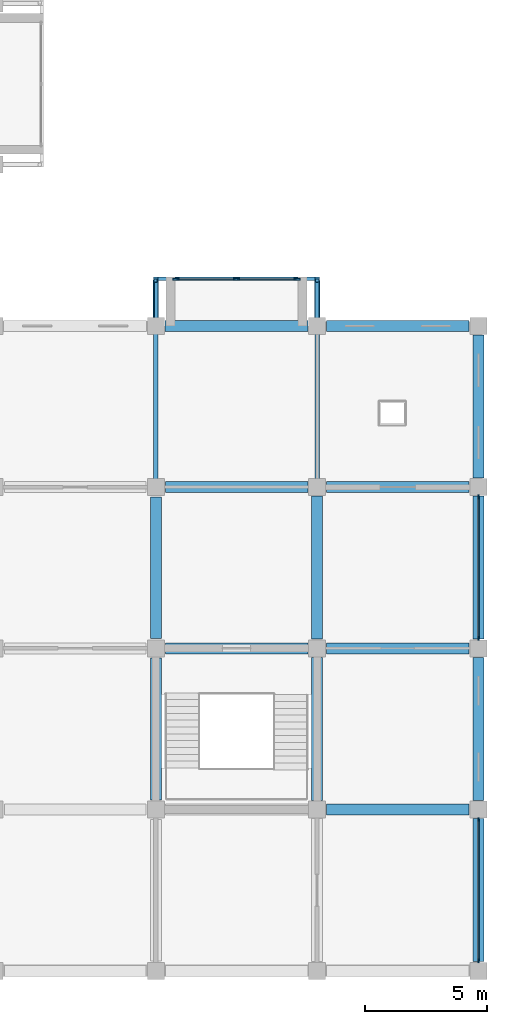
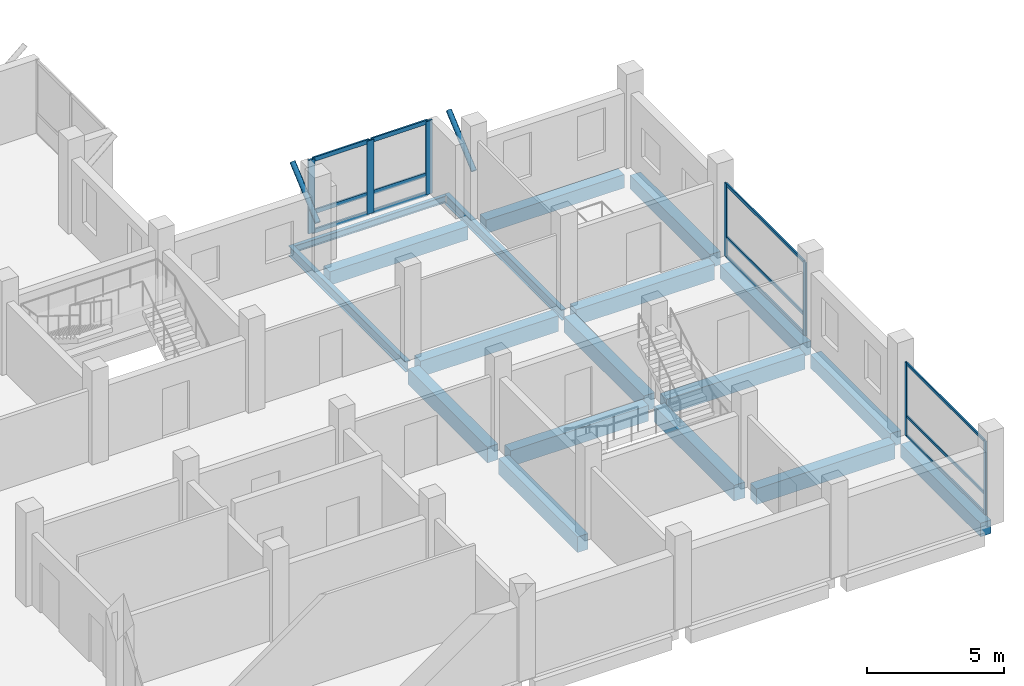
# One storey, part 2 of 13: 21 members, 18 beams, 3 elements without a shape of their own.
"""IFC4 building model written with IfcOpenShell, lengths in metres."""

from ifc_helpers import new_model, si_unit, direction, frame, origin, origin_2d, place, context, subcontext, project, spatial, rectangle, hollow_circle, i_section, extrude, material, material_profile, profile_set, type_object, element, aggregate, save


model = new_model("IFC4")

# Units and contexts
model_context = context("Model", 3, precision=1e-05, world=origin(), true_north=direction((0.0, 1.0)))
body_context = subcontext(model_context, "Body", "Model", "MODEL_VIEW")
ifc_project = project(units=[si_unit("LENGTHUNIT", "METRE"), si_unit("AREAUNIT", "SQUARE_METRE"), si_unit("VOLUMEUNIT", "CUBIC_METRE"), si_unit("PLANEANGLEUNIT", "RADIAN"), si_unit("MASSUNIT", "GRAM", prefix="KILO")], contexts=[model_context])

# Site, building, storey
site_placement = place(None, origin())
site = spatial("IfcSite", under=ifc_project, at=site_placement, CompositionType="ELEMENT")
building_placement = place(site_placement, origin())
building = spatial("IfcBuilding", under=site, at=building_placement, Name="Rusizi Kubbe Research Institute", CompositionType="ELEMENT")
storey_placement = place(building_placement, frame((0.0, 0.0, 35.39990234375)))
storey = spatial("IfcBuildingStorey", under=building, at=storey_placement, Name="L08", CompositionType="ELEMENT", Elevation=35.39990234375)

# Beams
ifc_material_1 = material(Name="Steel S355", Category="steel")
ifc_material_profile_1 = material_profile(ifc_material_1, i_section(OverallWidth=0.14990234375, OverallDepth=0.300048828125, WebThickness=0.007080078125, FlangeThickness=0.0107421875, at=origin_2d()), Name="IPE 300")
ifc_profile_set_1 = profile_set([ifc_material_profile_1], Name="Steel S355")
beam_type_1 = type_object("IfcBeamType", Name="BM-IPE300", PredefinedType="BEAM", material=ifc_profile_set_1)
beam_1_placement = place(storey_placement, frame((33.094970703125, 28.324951171875, -0.469970703125), z_axis=(1.0, 0.0, 0.0), x_axis=(0.0, 1.0, 0.0)))
element("IfcBeam", 1, at=beam_1_placement, inside=storey, type_object=beam_type_1, Name="Cumba Edge Tie Beam L08-3", PredefinedType="BEAM", context=body_context, shape_type="SweptSolid", body=[
    extrude(i_section(OverallWidth=0.14990234375, OverallDepth=0.300048828125, WebThickness=0.007080078125, FlangeThickness=0.0107421875, at=origin_2d()), origin(), (0.0, 0.0, 1.0), 6.409912109375),
])
ifc_material_2 = material(Name="Steel S355", Category="steel")
ifc_material_profile_2 = material_profile(ifc_material_2, i_section(OverallWidth=0.18994140625, OverallDepth=0.449951171875, WebThickness=0.009521484375, FlangeThickness=0.0146484375, at=origin_2d()), Name="IPE 450")
ifc_profile_set_2 = profile_set([ifc_material_profile_2], Name="Steel S355")
beam_type_2 = type_object("IfcBeamType", Name="BM-IPE450", PredefinedType="BEAM", material=ifc_profile_set_2)
for number, where, z_axis, x_axis, name in (
    (2, (33.0, 19.800048828125, -0.544921875), (0.0, 1.0, 0.0), (-1.0, 0.0, 0.0), "Cumba Back-Spanned Cantilever Beam L08-3W"),
    (3, (39.60009765625, 19.800048828125, -0.544921875), (0.0, 1.0, 0.0), (-1.0, 0.0, 0.0), "Cumba Back-Spanned Cantilever Beam L08-3E"),
):
    element("IfcBeam", number, at=place(storey_placement, frame(where, z_axis=z_axis, x_axis=x_axis)), inside=storey, type_object=beam_type_2, Name=name, PredefinedType="BEAM", context=body_context, shape_type="SweptSolid", body=[
        extrude(i_section(OverallWidth=0.18994140625, OverallDepth=0.449951171875, WebThickness=0.009521484375, FlangeThickness=0.0146484375, at=origin_2d()), origin(), (0.0, 0.0, 1.0), 8.599853515625),
    ])
ifc_material_3 = material(Name="Concrete C40/50", Category="concrete")
ifc_material_profile_3 = material_profile(ifc_material_3, rectangle(XDim=0.449951171875, YDim=0.60009765625, at=origin_2d()), Name="RC450x600")
ifc_profile_set_3 = profile_set([ifc_material_profile_3], Name="Concrete C40/50")
beam_type_3 = type_object("IfcBeamType", Name="BM-RC450x600", PredefinedType="SPANDREL", material=ifc_profile_set_3)
beam_2_placement = place(storey_placement, frame((33.375, 26.39990234375, -0.619873046875), z_axis=(1.0, 0.0, 0.0), x_axis=(0.0, 1.0, 0.0)))
element("IfcBeam", 4, at=beam_2_placement, inside=storey, type_object=beam_type_3, Name="Grid Beam H L08 (5,4)", PredefinedType="SPANDREL", context=body_context, shape_type="SweptSolid", body=[
    extrude(rectangle(XDim=0.449951171875, YDim=0.60009765625, at=origin_2d()), origin(), (0.0, 0.0, 1.0), 5.85009765625),
])
beam_3_placement = place(storey_placement, frame((39.97509765625, 26.39990234375, -0.619873046875), z_axis=(1.0, 0.0, 0.0), x_axis=(0.0, 1.0, 0.0)))
element("IfcBeam", 5, at=beam_3_placement, inside=storey, type_object=beam_type_3, Name="Grid Beam H L08 (6,4)", PredefinedType="SPANDREL", context=body_context, shape_type="SweptSolid", body=[
    extrude(rectangle(XDim=0.449951171875, YDim=0.60009765625, at=origin_2d()), origin(), (0.0, 0.0, 1.0), 5.849853515625),
])
beam_4_placement = place(storey_placement, frame((46.199951171875, 0.375, -0.619873046875), z_axis=(0.0, 1.0, 0.0), x_axis=(-1.0, 0.0, 0.0)))
element("IfcBeam", 6, at=beam_4_placement, inside=storey, type_object=beam_type_3, Name="Grid Beam V L08 (7,0)", PredefinedType="SPANDREL", context=body_context, shape_type="SweptSolid", body=[
    extrude(rectangle(XDim=0.449951171875, YDim=0.60009765625, at=origin_2d()), origin(), (0.0, 0.0, 1.0), 5.85009765625),
])
beam_5_placement = place(storey_placement, frame((46.199951171875, 6.97509765625, -0.619873046875), z_axis=(0.0, 1.0, 0.0), x_axis=(-1.0, 0.0, 0.0)))
element("IfcBeam", 7, at=beam_5_placement, inside=storey, type_object=beam_type_3, Name="Grid Beam V L08 (7,1)", PredefinedType="SPANDREL", context=body_context, shape_type="SweptSolid", body=[
    extrude(rectangle(XDim=0.449951171875, YDim=0.60009765625, at=origin_2d()), origin(), (0.0, 0.0, 1.0), 5.849853515625),
])
beam_6_placement = place(storey_placement, frame((46.199951171875, 13.574951171875, -0.619873046875), z_axis=(0.0, 1.0, 0.0), x_axis=(-1.0, 0.0, 0.0)))
element("IfcBeam", 8, at=beam_6_placement, inside=storey, type_object=beam_type_3, Name="Grid Beam V L08 (7,2)", PredefinedType="SPANDREL", context=body_context, shape_type="SweptSolid", body=[
    extrude(rectangle(XDim=0.449951171875, YDim=0.60009765625, at=origin_2d()), origin(), (0.0, 0.0, 1.0), 5.85009765625),
])
beam_7_placement = place(storey_placement, frame((46.199951171875, 20.175048828125, -0.619873046875), z_axis=(0.0, 1.0, 0.0), x_axis=(-1.0, 0.0, 0.0)))
element("IfcBeam", 9, at=beam_7_placement, inside=storey, type_object=beam_type_3, Name="Grid Beam V L08 (7,3)", PredefinedType="SPANDREL", context=body_context, shape_type="SweptSolid", body=[
    extrude(rectangle(XDim=0.449951171875, YDim=0.60009765625, at=origin_2d()), origin(), (0.0, 0.0, 1.0), 5.849853515625),
])
ifc_material_4 = material(Name="Concrete C40/50", Category="concrete")
ifc_material_profile_4 = material_profile(ifc_material_4, rectangle(XDim=0.449951171875, YDim=0.699951171875, at=origin_2d()), Name="RC450x700B")
ifc_profile_set_4 = profile_set([ifc_material_profile_4], Name="Concrete C40/50")
beam_type_4 = type_object("IfcBeamType", Name="BM-RC450x700", PredefinedType="BEAM", material=ifc_profile_set_4)
for number, where, z_axis, x_axis, name in (
    (10, (33.39990234375, 13.199951171875, -0.669921875), (1.0, 0.0, 0.0), (0.0, 1.0, 0.0), "Grid Beam H L08 (5,2)"),
    (11, (33.39990234375, 19.800048828125, -0.669921875), (1.0, 0.0, 0.0), (0.0, 1.0, 0.0), "Grid Beam H L08 (5,3)"),
):
    element("IfcBeam", number, at=place(storey_placement, frame(where, z_axis=z_axis, x_axis=x_axis)), inside=storey, type_object=beam_type_4, Name=name, PredefinedType="BEAM", context=body_context, shape_type="SweptSolid", body=[
        extrude(rectangle(XDim=0.449951171875, YDim=0.699951171875, at=origin_2d()), origin(), (0.0, 0.0, 1.0), 5.8251953125),
    ])
for number, where, z_axis, x_axis, name in (
    (12, (39.97509765625, 6.60009765625, -0.669921875), (1.0, 0.0, 0.0), (0.0, 1.0, 0.0), "Grid Beam H L08 (6,1)"),
    (13, (39.97509765625, 13.199951171875, -0.669921875), (1.0, 0.0, 0.0), (0.0, 1.0, 0.0), "Grid Beam H L08 (6,2)"),
    (14, (39.97509765625, 19.800048828125, -0.669921875), (1.0, 0.0, 0.0), (0.0, 1.0, 0.0), "Grid Beam H L08 (6,3)"),
):
    element("IfcBeam", number, at=place(storey_placement, frame(where, z_axis=z_axis, x_axis=x_axis)), inside=storey, type_object=beam_type_4, Name=name, PredefinedType="BEAM", context=body_context, shape_type="SweptSolid", body=[
        extrude(rectangle(XDim=0.449951171875, YDim=0.699951171875, at=origin_2d()), origin(), (0.0, 0.0, 1.0), 5.849853515625),
    ])
beam_8_placement = place(storey_placement, frame((33.0, 7.0, -0.669921875), z_axis=(0.0, 1.0, 0.0), x_axis=(-1.0, 0.0, 0.0)))
element("IfcBeam", 15, at=beam_8_placement, inside=storey, type_object=beam_type_4, Name="Grid Beam V L08 (5,1)", PredefinedType="BEAM", context=body_context, shape_type="SweptSolid", body=[
    extrude(rectangle(XDim=0.449951171875, YDim=0.699951171875, at=origin_2d()), origin(), (0.0, 0.0, 1.0), 5.800048828125),
])
beam_9_placement = place(storey_placement, frame((33.0, 13.60009765625, -0.669921875), z_axis=(0.0, 1.0, 0.0), x_axis=(-1.0, 0.0, 0.0)))
element("IfcBeam", 16, at=beam_9_placement, inside=storey, type_object=beam_type_4, Name="Grid Beam V L08 (5,2)", PredefinedType="BEAM", context=body_context, shape_type="SweptSolid", body=[
    extrude(rectangle(XDim=0.449951171875, YDim=0.699951171875, at=origin_2d()), origin(), (0.0, 0.0, 1.0), 5.7998046875),
])
beam_10_placement = place(storey_placement, frame((39.60009765625, 6.97509765625, -0.669921875), z_axis=(0.0, 1.0, 0.0), x_axis=(-1.0, 0.0, 0.0)))
element("IfcBeam", 17, at=beam_10_placement, inside=storey, type_object=beam_type_4, Name="Grid Beam V L08 (6,1)", PredefinedType="BEAM", context=body_context, shape_type="SweptSolid", body=[
    extrude(rectangle(XDim=0.449951171875, YDim=0.699951171875, at=origin_2d()), origin(), (0.0, 0.0, 1.0), 5.849853515625),
])
beam_11_placement = place(storey_placement, frame((39.60009765625, 13.574951171875, -0.669921875), z_axis=(0.0, 1.0, 0.0), x_axis=(-1.0, 0.0, 0.0)))
element("IfcBeam", 18, at=beam_11_placement, inside=storey, type_object=beam_type_4, Name="Grid Beam V L08 (6,2)", PredefinedType="BEAM", context=body_context, shape_type="SweptSolid", body=[
    extrude(rectangle(XDim=0.449951171875, YDim=0.699951171875, at=origin_2d()), origin(), (0.0, 0.0, 1.0), 5.85009765625),
])

# Members
ifc_material_5 = material(Name="Steel S355", Category="steel")
ifc_material_profile_5 = material_profile(ifc_material_5, hollow_circle(Radius=0.109619140625, WallThickness=0.008056640625, at=origin_2d()), Name="CHS 219.1x8.0")
ifc_profile_set_5 = profile_set([ifc_material_profile_5], Name="Steel S355")
member_type_1 = type_object("IfcMemberType", Name="MB-CHS219", PredefinedType="BRACE", material=ifc_profile_set_5)
for number, where, z_axis, x_axis, name in (
    (19, (33.0, 26.39990234375, 1.880126953125), (0.0, 0.756409887843, 0.654097914362), (-1.0, 0.0, 0.0), "Cumba Diagonal Corbel Brace L09-3W"),
    (20, (39.60009765625, 26.39990234375, 1.880126953125), (0.0, 0.756409887843, 0.654097914362), (-1.0, 0.0, 0.0), "Cumba Diagonal Corbel Brace L09-3E"),
):
    element("IfcMember", number, at=place(storey_placement, frame(where, z_axis=z_axis, x_axis=x_axis)), inside=storey, type_object=member_type_1, Name=name, PredefinedType="BRACE", context=body_context, shape_type="SweptSolid", body=[
        extrude(hollow_circle(Radius=0.109619140625, WallThickness=0.008056640625, at=origin_2d()), origin(), (0.0, 0.0, 1.0), 2.44580078125),
    ])

# Curtain wall, members
ifc_material_6 = material(Name="Thermally Broken Aluminium and Low-E Glazing", Category="aluminium")
curtain_wall_type_1 = type_object("IfcCurtainWallType", Name="CW-11", PredefinedType="NOTDEFINED", material=ifc_material_6)
curtain_wall_1_placement = place(storey_placement, origin())
curtain_wall_1 = element("IfcCurtainWall", 21, at=curtain_wall_1_placement, inside=storey, type_object=curtain_wall_type_1, Name="Unitised Facade Curtain Wall CW-L08-V-07-00", PredefinedType="NOTDEFINED")
ifc_material_7 = material(Name="Aluminium Alloy 6063-T6", Category="aluminium")
ifc_material_profile_6 = material_profile(ifc_material_7, rectangle(XDim=0.06005859375, YDim=0.14990234375, at=origin_2d()), Name="ALU-M 60x150")
ifc_profile_set_6 = profile_set([ifc_material_profile_6], Name="Aluminium Alloy 6063-T6")
member_type_2 = type_object("IfcMemberType", Name="ML-01", PredefinedType="MULLION", material=ifc_profile_set_6)
member_1_placement = place(storey_placement, frame((46.199951171875, 0.409912109375, 0.0), z_axis=(0.0, 0.0, 1.0), x_axis=(-1.0, 0.0, 0.0)))
member_1 = element("IfcMember", 22, at=member_1_placement, type_object=member_type_2, Name="CW-11 mullion 1", PredefinedType="MULLION", context=body_context, shape_type="SweptSolid", body=[
    extrude(rectangle(XDim=0.06005859375, YDim=0.14990234375, at=origin_2d()), origin(), (0.0, 0.0, 1.0), 3.280029296875),
])
member_2_placement = place(storey_placement, frame((46.199951171875, 6.18994140625, 0.0), z_axis=(0.0, 0.0, 1.0), x_axis=(-1.0, 0.0, 0.0)))
member_2 = element("IfcMember", 23, at=member_2_placement, type_object=member_type_2, Name="CW-11 mullion 2", PredefinedType="MULLION", context=body_context, shape_type="SweptSolid", body=[
    extrude(rectangle(XDim=0.06005859375, YDim=0.14990234375, at=origin_2d()), origin(), (0.0, 0.0, 1.0), 3.280029296875),
])

curtain_wall_2_placement = place(storey_placement, origin())
curtain_wall_2 = element("IfcCurtainWall", 24, at=curtain_wall_2_placement, inside=storey, type_object=curtain_wall_type_1, Name="Unitised Facade Curtain Wall CW-L08-V-07-02", PredefinedType="NOTDEFINED")
ifc_material_8 = material(Name="Aluminium Alloy 6063-T6", Category="aluminium")
ifc_material_profile_7 = material_profile(ifc_material_8, rectangle(XDim=0.06005859375, YDim=0.179931640625, at=origin_2d()), Name="ALU-M 60x180")
ifc_profile_set_7 = profile_set([ifc_material_profile_7], Name="Aluminium Alloy 6063-T6")
member_type_3 = type_object("IfcMemberType", Name="ML-02", PredefinedType="MULLION", material=ifc_profile_set_7)
member_3_placement = place(storey_placement, frame((46.199951171875, 13.610107421875, 0.0), z_axis=(0.0, 0.0, 1.0), x_axis=(-1.0, 0.0, 0.0)))
member_3 = element("IfcMember", 25, at=member_3_placement, type_object=member_type_3, Name="CW-11 mullion 1", PredefinedType="MULLION", context=body_context, shape_type="SweptSolid", body=[
    extrude(rectangle(XDim=0.06005859375, YDim=0.179931640625, at=origin_2d()), origin(), (0.0, 0.0, 1.0), 3.280029296875),
])
member_4_placement = place(storey_placement, frame((46.199951171875, 19.389892578125, 0.0), z_axis=(0.0, 0.0, 1.0), x_axis=(-1.0, 0.0, 0.0)))
member_4 = element("IfcMember", 26, at=member_4_placement, type_object=member_type_3, Name="CW-11 mullion 2", PredefinedType="MULLION", context=body_context, shape_type="SweptSolid", body=[
    extrude(rectangle(XDim=0.06005859375, YDim=0.179931640625, at=origin_2d()), origin(), (0.0, 0.0, 1.0), 3.280029296875),
])

ifc_material_9 = material(Name="Thermally Broken Aluminium and Low-E Glazing", Category="aluminium")
curtain_wall_type_2 = type_object("IfcCurtainWallType", Name="CW-03", PredefinedType="NOTDEFINED", material=ifc_material_9)
curtain_wall_3_placement = place(storey_placement, origin())
curtain_wall_3 = element("IfcCurtainWall", 27, at=curtain_wall_3_placement, inside=storey, type_object=curtain_wall_type_2, Name="Cumba Glazed Curtain Wall CW-CUMBA-L08-095", PredefinedType="NOTDEFINED")
ifc_material_10 = material(Name="Aluminium Alloy 6063-T6", Category="aluminium")
ifc_material_profile_8 = material_profile(ifc_material_10, rectangle(XDim=0.080078125, YDim=0.280029296875, at=origin_2d()), Name="ALU-M 80x280")
ifc_profile_set_8 = profile_set([ifc_material_profile_8], Name="Aluminium Alloy 6063-T6")
member_type_4 = type_object("IfcMemberType", Name="ML-06", PredefinedType="MULLION", material=ifc_profile_set_8)
member_5_placement = place(storey_placement, frame((33.822509765625, 28.300048828125, 0.0), z_axis=(0.0, 0.0, 1.0), x_axis=(0.0, 1.0, 0.0)))
member_5 = element("IfcMember", 28, at=member_5_placement, type_object=member_type_4, Name="CW-03 mullion 1", PredefinedType="MULLION", context=body_context, shape_type="SweptSolid", body=[
    extrude(rectangle(XDim=0.080078125, YDim=0.280029296875, at=origin_2d()), origin(), (0.0, 0.0, 1.0), 3.280029296875),
])
member_6_placement = place(storey_placement, frame((36.300048828125, 28.300048828125, 0.0), z_axis=(0.0, 0.0, 1.0), x_axis=(0.0, 1.0, 0.0)))
member_6 = element("IfcMember", 29, at=member_6_placement, type_object=member_type_4, Name="CW-03 mullion 2", PredefinedType="MULLION", context=body_context, shape_type="SweptSolid", body=[
    extrude(rectangle(XDim=0.080078125, YDim=0.280029296875, at=origin_2d()), origin(), (0.0, 0.0, 1.0), 3.280029296875),
])
member_7_placement = place(storey_placement, frame((38.777587890625, 28.300048828125, 0.0), z_axis=(0.0, 0.0, 1.0), x_axis=(0.0, 1.0, 0.0)))
member_7 = element("IfcMember", 30, at=member_7_placement, type_object=member_type_4, Name="CW-03 mullion 3", PredefinedType="MULLION", context=body_context, shape_type="SweptSolid", body=[
    extrude(rectangle(XDim=0.080078125, YDim=0.280029296875, at=origin_2d()), origin(), (0.0, 0.0, 1.0), 3.280029296875),
])

# Member
ifc_material_11 = material(Name="Aluminium Alloy 6063-T6", Category="aluminium")
ifc_material_profile_9 = material_profile(ifc_material_11, rectangle(XDim=0.06005859375, YDim=0.1201171875, at=origin_2d()), Name="ALU-T 60x120")
ifc_profile_set_9 = profile_set([ifc_material_profile_9], Name="Aluminium Alloy 6063-T6")
member_type_5 = type_object("IfcMemberType", Name="TR-01", PredefinedType="USERDEFINED", material=ifc_profile_set_9)
member_8_placement = place(storey_placement, frame((46.199951171875, 0.43994140625, 0.030029296875), z_axis=(0.0, 1.0, 0.0), x_axis=(-1.0, 0.0, 0.0)))
member_8 = element("IfcMember", 31, at=member_8_placement, type_object=member_type_5, Name="CW-11 transom 1.1", ObjectType="TRANSOM", PredefinedType="USERDEFINED", context=body_context, shape_type="SweptSolid", body=[
    extrude(rectangle(XDim=0.06005859375, YDim=0.1201171875, at=origin_2d()), origin(), (0.0, 0.0, 1.0), 5.719970703125),
])

member_9_placement = place(storey_placement, frame((46.199951171875, 0.43994140625, 0.900146484375), z_axis=(0.0, 1.0, 0.0), x_axis=(-1.0, 0.0, 0.0)))
member_9 = element("IfcMember", 32, at=member_9_placement, type_object=member_type_5, Name="CW-11 transom 1.2", ObjectType="TRANSOM", PredefinedType="USERDEFINED", context=body_context, shape_type="SweptSolid", body=[
    extrude(rectangle(XDim=0.06005859375, YDim=0.1201171875, at=origin_2d()), origin(), (0.0, 0.0, 1.0), 5.719970703125),
])

member_10_placement = place(storey_placement, frame((46.199951171875, 0.43994140625, 3.25), z_axis=(0.0, 1.0, 0.0), x_axis=(-1.0, 0.0, 0.0)))
member_10 = element("IfcMember", 33, at=member_10_placement, type_object=member_type_5, Name="CW-11 transom 1.3", ObjectType="TRANSOM", PredefinedType="USERDEFINED", context=body_context, shape_type="SweptSolid", body=[
    extrude(rectangle(XDim=0.06005859375, YDim=0.1201171875, at=origin_2d()), origin(), (0.0, 0.0, 1.0), 5.719970703125),
])

aggregate(curtain_wall_1, [member_1, member_2, member_8, member_9, member_10])

ifc_material_12 = material(Name="Aluminium Alloy 6063-T6", Category="aluminium")
ifc_material_profile_10 = material_profile(ifc_material_12, rectangle(XDim=0.06005859375, YDim=0.139892578125, at=origin_2d()), Name="ALU-T 60x140")
ifc_profile_set_10 = profile_set([ifc_material_profile_10], Name="Aluminium Alloy 6063-T6")
member_type_6 = type_object("IfcMemberType", Name="TR-02", PredefinedType="USERDEFINED", material=ifc_profile_set_10)
member_11_placement = place(storey_placement, frame((46.199951171875, 13.639892578125, 0.030029296875), z_axis=(0.0, 1.0, 0.0), x_axis=(-1.0, 0.0, 0.0)))
member_11 = element("IfcMember", 34, at=member_11_placement, type_object=member_type_6, Name="CW-11 transom 1.1", ObjectType="TRANSOM", PredefinedType="USERDEFINED", context=body_context, shape_type="SweptSolid", body=[
    extrude(rectangle(XDim=0.06005859375, YDim=0.139892578125, at=origin_2d()), origin(), (0.0, 0.0, 1.0), 5.72021484375),
])

member_12_placement = place(storey_placement, frame((46.199951171875, 13.639892578125, 0.900146484375), z_axis=(0.0, 1.0, 0.0), x_axis=(-1.0, 0.0, 0.0)))
member_12 = element("IfcMember", 35, at=member_12_placement, type_object=member_type_6, Name="CW-11 transom 1.2", ObjectType="TRANSOM", PredefinedType="USERDEFINED", context=body_context, shape_type="SweptSolid", body=[
    extrude(rectangle(XDim=0.06005859375, YDim=0.139892578125, at=origin_2d()), origin(), (0.0, 0.0, 1.0), 5.72021484375),
])

member_13_placement = place(storey_placement, frame((46.199951171875, 13.639892578125, 3.25), z_axis=(0.0, 1.0, 0.0), x_axis=(-1.0, 0.0, 0.0)))
member_13 = element("IfcMember", 36, at=member_13_placement, type_object=member_type_6, Name="CW-11 transom 1.3", ObjectType="TRANSOM", PredefinedType="USERDEFINED", context=body_context, shape_type="SweptSolid", body=[
    extrude(rectangle(XDim=0.06005859375, YDim=0.139892578125, at=origin_2d()), origin(), (0.0, 0.0, 1.0), 5.72021484375),
])

aggregate(curtain_wall_2, [member_3, member_4, member_11, member_12, member_13])

ifc_material_13 = material(Name="Aluminium Alloy 6063-T6", Category="aluminium")
ifc_material_profile_11 = material_profile(ifc_material_13, rectangle(XDim=0.070068359375, YDim=0.18994140625, at=origin_2d()), Name="ALU-T 70x190")
ifc_profile_set_11 = profile_set([ifc_material_profile_11], Name="Aluminium Alloy 6063-T6")
member_type_7 = type_object("IfcMemberType", Name="TR-04", PredefinedType="USERDEFINED", material=ifc_profile_set_11)
member_14_placement = place(storey_placement, frame((33.862548828125, 28.300048828125, 0.03515625), z_axis=(1.0, 0.0, 0.0), x_axis=(0.0, 1.0, 0.0)))
member_14 = element("IfcMember", 37, at=member_14_placement, type_object=member_type_7, Name="CW-03 transom 1.1", ObjectType="TRANSOM", PredefinedType="USERDEFINED", context=body_context, shape_type="SweptSolid", body=[
    extrude(rectangle(XDim=0.070068359375, YDim=0.18994140625, at=origin_2d()), origin(), (0.0, 0.0, 1.0), 2.3974609375),
])

member_15_placement = place(storey_placement, frame((33.862548828125, 28.300048828125, 0.900146484375), z_axis=(1.0, 0.0, 0.0), x_axis=(0.0, 1.0, 0.0)))
member_15 = element("IfcMember", 38, at=member_15_placement, type_object=member_type_7, Name="CW-03 transom 1.2", ObjectType="TRANSOM", PredefinedType="USERDEFINED", context=body_context, shape_type="SweptSolid", body=[
    extrude(rectangle(XDim=0.070068359375, YDim=0.18994140625, at=origin_2d()), origin(), (0.0, 0.0, 1.0), 2.3974609375),
])

member_16_placement = place(storey_placement, frame((33.862548828125, 28.300048828125, 3.2451171875), z_axis=(1.0, 0.0, 0.0), x_axis=(0.0, 1.0, 0.0)))
member_16 = element("IfcMember", 39, at=member_16_placement, type_object=member_type_7, Name="CW-03 transom 1.3", ObjectType="TRANSOM", PredefinedType="USERDEFINED", context=body_context, shape_type="SweptSolid", body=[
    extrude(rectangle(XDim=0.070068359375, YDim=0.18994140625, at=origin_2d()), origin(), (0.0, 0.0, 1.0), 2.3974609375),
])

member_17_placement = place(storey_placement, frame((36.340087890625, 28.300048828125, 0.03515625), z_axis=(1.0, 0.0, 0.0), x_axis=(0.0, 1.0, 0.0)))
member_17 = element("IfcMember", 40, at=member_17_placement, type_object=member_type_7, Name="CW-03 transom 2.1", ObjectType="TRANSOM", PredefinedType="USERDEFINED", context=body_context, shape_type="SweptSolid", body=[
    extrude(rectangle(XDim=0.070068359375, YDim=0.18994140625, at=origin_2d()), origin(), (0.0, 0.0, 1.0), 2.3974609375),
])

member_18_placement = place(storey_placement, frame((36.340087890625, 28.300048828125, 0.900146484375), z_axis=(1.0, 0.0, 0.0), x_axis=(0.0, 1.0, 0.0)))
member_18 = element("IfcMember", 41, at=member_18_placement, type_object=member_type_7, Name="CW-03 transom 2.2", ObjectType="TRANSOM", PredefinedType="USERDEFINED", context=body_context, shape_type="SweptSolid", body=[
    extrude(rectangle(XDim=0.070068359375, YDim=0.18994140625, at=origin_2d()), origin(), (0.0, 0.0, 1.0), 2.3974609375),
])

member_19_placement = place(storey_placement, frame((36.340087890625, 28.300048828125, 3.2451171875), z_axis=(1.0, 0.0, 0.0), x_axis=(0.0, 1.0, 0.0)))
member_19 = element("IfcMember", 42, at=member_19_placement, type_object=member_type_7, Name="CW-03 transom 2.3", ObjectType="TRANSOM", PredefinedType="USERDEFINED", context=body_context, shape_type="SweptSolid", body=[
    extrude(rectangle(XDim=0.070068359375, YDim=0.18994140625, at=origin_2d()), origin(), (0.0, 0.0, 1.0), 2.3974609375),
])

aggregate(curtain_wall_3, [member_5, member_6, member_7, member_14, member_15, member_16, member_17, member_18, member_19])

save(model, "model.ifc")
